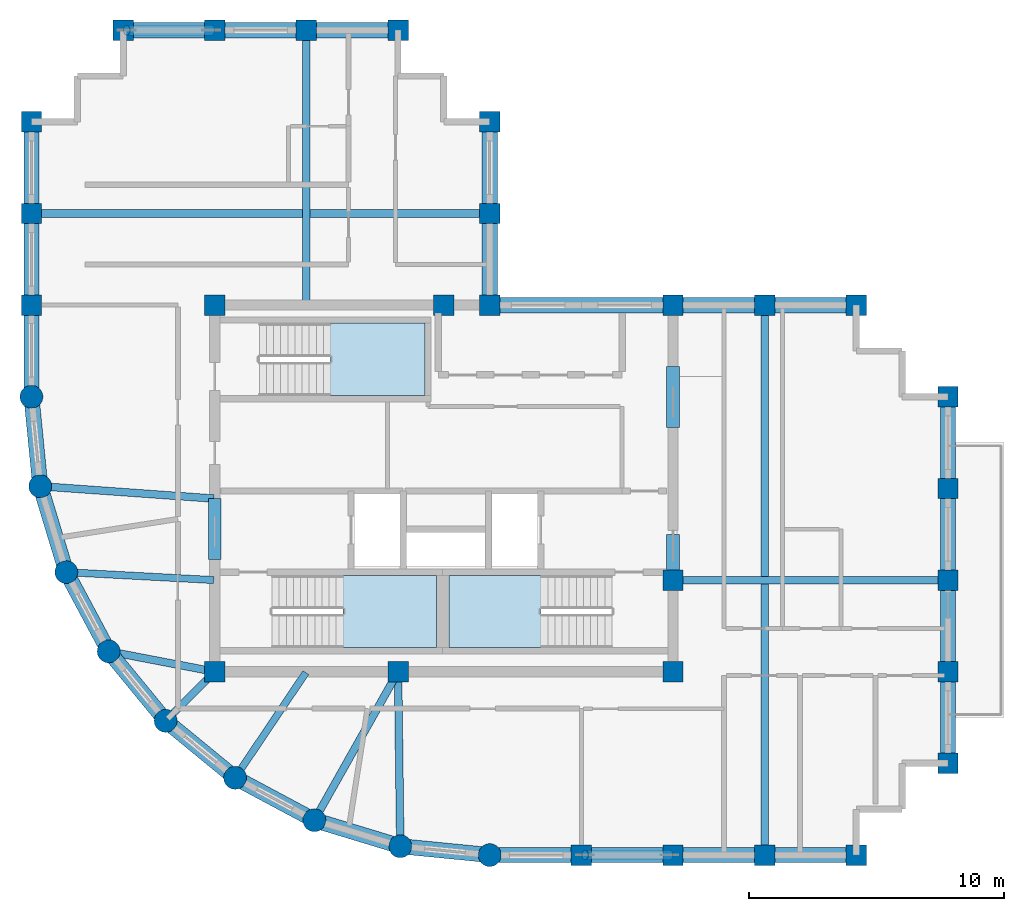
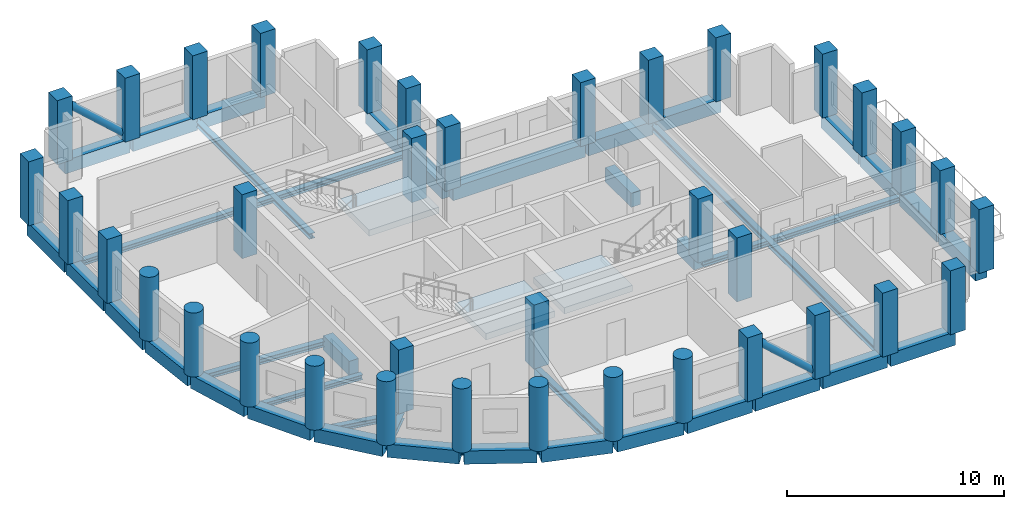
# One storey, part 1 of 6: 41 beams, 37 columns, 3 slabs, 2 members, 3 elements without a shape of their own.
"""IFC4 building model written with IfcOpenShell, lengths in metres."""

import ifcopenshell
import ifcopenshell.guid

model = None  # the IFC model being written
_history = None  # IfcOwnerHistory: only IFC2X3 demands one
_inside = {}  # id of a spatial element -> (the spatial element, [elements in it])
_under = {}  # id of a project, library or spatial element -> (it, [spatial elements below it])
_declared = {}  # id of a project -> (the project, [libraries it declares])
_typed = {}  # id of a type object -> (the type object, [elements of that type])
_made_of = {}  # id of a material, layer set ... -> (it, [elements and type objects made of it])


def new_model(schema):
    """Start an empty IFC model of exactly this schema.

    Asked for "IFC4X3", IfcOpenShell would pick the latest addendum, in which some entities
    have other attributes; the version numbers below select the first issue.
    IFC2X3 requires an IfcOwnerHistory on every rooted entity: one is made here for all.
    """
    global model, _history
    if schema == "IFC4X3":
        model = ifcopenshell.file(schema_version=(4, 3, 0, 0))
    else:
        model = ifcopenshell.file(schema=schema)
    _inside.clear()
    _under.clear()
    _declared.clear()
    _typed.clear()
    _made_of.clear()
    _history = None
    if model.schema == "IFC2X3":
        org = make("IfcOrganization", Name="unknown")
        user = make(
            "IfcPersonAndOrganization",
            ThePerson=make("IfcPerson", FamilyName="unknown"),
            TheOrganization=org,
        )
        app = make(
            "IfcApplication",
            ApplicationDeveloper=org,
            Version="unknown",
            ApplicationFullName="unknown",
            ApplicationIdentifier="unknown",
        )
        _history = make(
            "IfcOwnerHistory",
            OwningUser=user,
            OwningApplication=app,
            ChangeAction="ADDED",
            CreationDate=0,
        )
    return model


def make(cls, **values):
    """One entity of the class cls with the attributes given. An attribute that is None is left unset."""
    return model.create_entity(
        cls, **{name: value for name, value in values.items() if value is not None}
    )


def rooted(cls, **values):
    """An entity with a GlobalId (a new one), such as an element, a storey or a relation."""
    return make(cls, GlobalId=ifcopenshell.guid.new(), OwnerHistory=_history, **values)


def si_unit(unit_type, name, prefix=None):
    """IfcSIUnit, for example si_unit("LENGTHUNIT", "METRE", prefix="MILLI")."""
    return make("IfcSIUnit", UnitType=unit_type, Prefix=prefix, Name=name)


def assignment(units):
    """IfcUnitAssignment: the units of a project."""
    return None if units is None else make("IfcUnitAssignment", Units=units)


def point(xyz):
    """IfcCartesianPoint."""
    return None if xyz is None else make("IfcCartesianPoint", Coordinates=xyz)


def direction(xyz):
    """IfcDirection."""
    return None if xyz is None else make("IfcDirection", DirectionRatios=xyz)


def frame(location, z_axis=None, x_axis=None):
    """IfcAxis2Placement3D, a coordinate frame: its origin and axes. An axis left out is left unset."""
    return make(
        "IfcAxis2Placement3D",
        Location=point(location),
        Axis=direction(z_axis),
        RefDirection=direction(x_axis),
    )


def frame_2d(location, x_axis=None):
    """IfcAxis2Placement2D, a coordinate frame in the plane: its origin and x axis."""
    return make(
        "IfcAxis2Placement2D", Location=point(location), RefDirection=direction(x_axis)
    )


def origin():
    """The frame at (0, 0, 0) with its axes left unset."""
    return frame((0.0, 0.0, 0.0))


def origin_2d():
    """The frame at (0, 0) in the plane with its x axis left unset."""
    return frame_2d((0.0, 0.0))


def place(relative_to, where):
    """IfcLocalPlacement: puts the frame where relative to a parent placement (None: the world)."""
    return make(
        "IfcLocalPlacement", PlacementRelTo=relative_to, RelativePlacement=where
    )


def context(
    kind, dimensions, precision=None, world=None, true_north=None, identifier=None
):
    """IfcGeometricRepresentationContext, for example the 3D "Model" context."""
    return make(
        "IfcGeometricRepresentationContext",
        ContextIdentifier=identifier,
        ContextType=kind,
        CoordinateSpaceDimension=dimensions,
        Precision=precision,
        WorldCoordinateSystem=world,
        TrueNorth=true_north,
    )


def subcontext(parent, identifier, kind, view, scale=None):
    """IfcGeometricRepresentationSubContext, for example "Body" below "Model"."""
    return make(
        "IfcGeometricRepresentationSubContext",
        ContextIdentifier=identifier,
        ContextType=kind,
        ParentContext=parent,
        TargetScale=scale,
        TargetView=view,
    )


def project(units=None, contexts=None):
    """IfcProject with its units and contexts."""
    return rooted(
        "IfcProject",
        Name="project",
        RepresentationContexts=contexts,
        UnitsInContext=assignment(units),
    )


def spatial(cls, under=None, at=None, **own):
    """A site, building, storey or space (cls), placed at a placement, below another one or the project."""
    s = rooted(cls, ObjectPlacement=at, **own)
    if under is not None:
        _under.setdefault(under.id(), (under, []))[1].append(s)
    return s


def polyline(points):
    """IfcPolyline through the points."""
    return make("IfcPolyline", Points=[point(p) for p in points])


def profile(cls, at=None, kind="AREA", **sizes):
    """A parametric profile (cls). Its sizes go by their IFC names, for example OverallWidth=200.0."""
    return make(cls, ProfileType=kind, Position=at, **sizes)


def rectangle(**sizes):
    """IfcRectangleProfileDef."""
    return profile("IfcRectangleProfileDef", **sizes)


def circle(**sizes):
    """IfcCircleProfileDef."""
    return profile("IfcCircleProfileDef", **sizes)


def hollow_circle(**sizes):
    """IfcCircleHollowProfileDef."""
    return profile("IfcCircleHollowProfileDef", **sizes)


def i_section(**sizes):
    """IfcIShapeProfileDef."""
    return profile("IfcIShapeProfileDef", **sizes)


def outline(outer, holes=None, kind="AREA"):
    """IfcArbitraryClosedProfileDef: a profile drawn as a closed curve; with holes, ...WithVoids."""
    if holes is None:
        return make("IfcArbitraryClosedProfileDef", ProfileType=kind, OuterCurve=outer)
    return make(
        "IfcArbitraryProfileDefWithVoids",
        ProfileType=kind,
        OuterCurve=outer,
        InnerCurves=holes,
    )


def extrude(swept, where, along, depth):
    """IfcExtrudedAreaSolid: the profile swept, set in the frame where, extruded along a direction by depth."""
    return make(
        "IfcExtrudedAreaSolid",
        SweptArea=swept,
        Position=where,
        ExtrudedDirection=direction(along),
        Depth=depth,
    )


def shape(context_of_items, identifier, shape_type, items):
    """IfcShapeRepresentation: the items that make up one representation, for example the "Body"."""
    return make(
        "IfcShapeRepresentation",
        ContextOfItems=context_of_items,
        RepresentationIdentifier=identifier,
        RepresentationType=shape_type,
        Items=items,
    )


def material(Name=None, Category=None):
    """IfcMaterial."""
    return make("IfcMaterial", Name=Name, Category=Category)


def layer(
    of_material, thickness, ventilated=None, Name=None, Category=None, Priority=None
):
    """IfcMaterialLayer: one layer of a wall or slab, of a material (None: an air gap)."""
    return make(
        "IfcMaterialLayer",
        Material=of_material,
        LayerThickness=thickness,
        IsVentilated=ventilated,
        Name=Name,
        Category=Category,
        Priority=Priority,
    )


def layer_set(layers, Name=None):
    """IfcMaterialLayerSet."""
    return make("IfcMaterialLayerSet", MaterialLayers=layers, LayerSetName=Name)


def material_profile(
    of_material, cross_section, Name=None, Category=None, Priority=None
):
    """IfcMaterialProfile: a cross section and its material."""
    return make(
        "IfcMaterialProfile",
        Name=Name,
        Material=of_material,
        Profile=cross_section,
        Priority=Priority,
        Category=Category,
    )


def profile_set(profiles, Name=None, composite=None):
    """IfcMaterialProfileSet."""
    return make(
        "IfcMaterialProfileSet",
        Name=Name,
        MaterialProfiles=profiles,
        CompositeProfile=composite,
    )


def made_of(thing, what):
    """Note that an element or type object is made of a material, layer set ...; save() writes the relation."""
    if what is not None:
        _made_of.setdefault(what.id(), (what, []))[1].append(thing)
    return thing


def type_object(cls, material=None, **own):
    """A type object (cls), such as IfcWallType, which elements share."""
    return made_of(rooted(cls, **own), material)


def element(
    cls,
    number,
    at=None,
    inside=None,
    cuts=None,
    type_object=None,
    material=None,
    context=None,
    identifier="Body",
    shape_type=None,
    held_by="IfcProductDefinitionShape",
    body=None,
    shapes=None,
    **own,
):
    """One element of the class cls, such as IfcWall. Its Tag is "e" and its number.

    at: its placement. inside: the storey or other place that contains it. cuts: it is an
    opening in that element (IfcRelVoidsElement). A single representation is given by context,
    identifier, shape_type and body (its items); several are given by shapes. held_by: the class
    of the entity that holds the representations. save() writes the other relations.
    """
    e = rooted(cls, Tag="e%d" % number, ObjectPlacement=at, **own)
    if body is not None:
        shapes = [shape(context, identifier, shape_type, body)]
    if shapes is not None:
        e.Representation = make(held_by, Representations=shapes)
    if inside is not None:
        _inside.setdefault(inside.id(), (inside, []))[1].append(e)
    if cuts is not None:
        rooted(
            "IfcRelVoidsElement", RelatingBuildingElement=cuts, RelatedOpeningElement=e
        )
    if type_object is not None:
        _typed.setdefault(type_object.id(), (type_object, []))[1].append(e)
    return made_of(e, material)


def aggregate(whole, parts):
    """IfcRelAggregates: a whole, such as a stair, and the parts it consists of."""
    return rooted("IfcRelAggregates", RelatingObject=whole, RelatedObjects=parts)


def save(model, path):
    """Write the relations noted so far, then the file.

    IfcRelAggregates (storeys below a building ...), IfcRelContainedInSpatialStructure (elements
    in a storey), IfcRelDefinesByType, IfcRelAssociatesMaterial and IfcRelDeclares: one each for
    every whole, place, type object, material and project.
    """
    for whole, parts in _under.values():
        aggregate(whole, parts)
    for where, things in _inside.values():
        rooted(
            "IfcRelContainedInSpatialStructure",
            RelatedElements=things,
            RelatingStructure=where,
        )
    for kind, things in _typed.values():
        rooted("IfcRelDefinesByType", RelatedObjects=things, RelatingType=kind)
    for what, things in _made_of.values():
        rooted("IfcRelAssociatesMaterial", RelatedObjects=things, RelatingMaterial=what)
    for by, libraries in _declared.values():
        rooted("IfcRelDeclares", RelatingContext=by, RelatedDefinitions=libraries)
    model.write(path)


model = new_model("IFC4")

# Units and contexts
model_context = context("Model", 3, precision=1e-05, world=origin(), true_north=direction((0.0, 1.0)))
body_context = subcontext(model_context, "Body", "Model", "MODEL_VIEW")
ifc_project = project(units=[si_unit("LENGTHUNIT", "METRE"), si_unit("AREAUNIT", "SQUARE_METRE"), si_unit("VOLUMEUNIT", "CUBIC_METRE"), si_unit("PLANEANGLEUNIT", "RADIAN"), si_unit("MASSUNIT", "GRAM", prefix="KILO")], contexts=[model_context])

# Site, building, storey
site_placement = place(None, origin())
site = spatial("IfcSite", under=ifc_project, at=site_placement, CompositionType="ELEMENT")
building_placement = place(site_placement, origin())
building = spatial("IfcBuilding", under=site, at=building_placement, Name="Solnavia Interchange Tower", CompositionType="ELEMENT")
storey_placement = place(building_placement, frame((0.0, 0.0, 224.60009765625)))
storey = spatial("IfcBuildingStorey", under=building, at=storey_placement, Name="L56", CompositionType="ELEMENT", Elevation=224.60009765625)

# Columns
ifc_material_1 = material(Name="Concrete C50/60", Category="concrete")
ifc_material_profile_1 = material_profile(ifc_material_1, rectangle(XDim=0.800048828125, YDim=0.800048828125, at=origin_2d()), Name="RC 800x800")
ifc_profile_set_1 = profile_set([ifc_material_profile_1], Name="Concrete C50/60")
column_type_1 = type_object("IfcColumnType", Name="Col-RC-800x800", PredefinedType="COLUMN", material=ifc_profile_set_1)
for number, where, z_axis, x_axis, name in (
    (1, (7.199951171875, 25.199951171875, 0.0), (0.0, 0.0, 1.0), (0.0, 1.0, 0.0), "COL-L56-02 Tower perim y column"),
    (2, (7.199951171875, 28.800048828125, 0.0), (0.0, 0.0, 1.0), (0.0, 1.0, 0.0), "COL-L56-03 Tower perim y column"),
    (3, (7.199951171875, 32.39990234375, 0.0), (0.0, 0.0, 1.0), (0.0, 1.0, 0.0), "COL-L56-04 Tower corner column"),
    (4, (10.800048828125, 36.0, 0.0), (0.0, 0.0, 1.0), (1.0, 0.0, 0.0), "COL-L56-08 Tower corner column"),
    (5, (14.39990234375, 10.800048828125, 0.0), (0.0, 0.0, 1.0), (1.0, 0.0, 0.0), "COL-L56-10 Tower interior column"),
    (6, (14.39990234375, 25.199951171875, 0.0), (0.0, 0.0, 1.0), (1.0, 0.0, 0.0), "COL-L56-11 Tower interior column"),
    (7, (14.39990234375, 36.0, 0.0), (0.0, 0.0, 1.0), (1.0, 0.0, 0.0), "COL-L56-12 Tower perim x column"),
    (8, (18.0, 36.0, 0.0), (0.0, 0.0, 1.0), (1.0, 0.0, 0.0), "COL-L56-14 Tower perim x column"),
    (9, (21.60009765625, 10.800048828125, 0.0), (0.0, 0.0, 1.0), (1.0, 0.0, 0.0), "COL-L56-16 Tower interior column"),
    (10, (21.60009765625, 36.0, 0.0), (0.0, 0.0, 1.0), (1.0, 0.0, 0.0), "COL-L56-17 Tower corner column"),
    (11, (23.39990234375, 25.199951171875, 0.0), (0.0, 0.0, 1.0), (1.0, 0.0, 0.0), "COL-L56-19 Tower interior column"),
    (12, (25.199951171875, 25.199951171875, 0.0), (0.0, 0.0, 1.0), (1.0, 0.0, 0.0), "COL-L56-21 Tower interior column"),
    (13, (25.199951171875, 28.800048828125, 0.0), (0.0, 0.0, 1.0), (0.0, 1.0, 0.0), "COL-L56-22 Tower perim y column"),
    (14, (25.199951171875, 32.39990234375, 0.0), (0.0, 0.0, 1.0), (0.0, 1.0, 0.0), "COL-L56-23 Tower corner column"),
    (15, (28.800048828125, 3.60009765625, 0.0), (0.0, 0.0, 1.0), (1.0, 0.0, 0.0), "COL-L56-24 Tower perim x column"),
    (16, (32.39990234375, 3.60009765625, 0.0), (0.0, 0.0, 1.0), (1.0, 0.0, 0.0), "COL-L56-25 Tower perim x column"),
    (17, (32.39990234375, 10.800048828125, 0.0), (0.0, 0.0, 1.0), (1.0, 0.0, 0.0), "COL-L56-26 Tower interior column"),
    (18, (32.39990234375, 14.39990234375, 0.0), (0.0, 0.0, 1.0), (1.0, 0.0, 0.0), "COL-L56-27 Tower interior column"),
    (19, (32.39990234375, 25.199951171875, 0.0), (0.0, 0.0, 1.0), (1.0, 0.0, 0.0), "COL-L56-28 Tower interior column"),
    (20, (36.0, 3.60009765625, 0.0), (0.0, 0.0, 1.0), (1.0, 0.0, 0.0), "COL-L56-29 Tower perim x column"),
    (21, (36.0, 25.199951171875, 0.0), (0.0, 0.0, 1.0), (1.0, 0.0, 0.0), "COL-L56-30 Tower perim x column"),
    (22, (39.60009765625, 3.60009765625, 0.0), (0.0, 0.0, 1.0), (1.0, 0.0, 0.0), "COL-L56-31 Tower corner column"),
    (23, (39.60009765625, 25.199951171875, 0.0), (0.0, 0.0, 1.0), (1.0, 0.0, 0.0), "COL-L56-32 Tower corner column"),
    (24, (43.199951171875, 7.199951171875, 0.0), (0.0, 0.0, 1.0), (1.0, 0.0, 0.0), "COL-L56-33 Tower corner column"),
    (25, (43.199951171875, 10.800048828125, 0.0), (0.0, 0.0, 1.0), (0.0, 1.0, 0.0), "COL-L56-34 Tower perim y column"),
    (26, (43.199951171875, 14.39990234375, 0.0), (0.0, 0.0, 1.0), (0.0, 1.0, 0.0), "COL-L56-35 Tower perim y column"),
    (27, (43.199951171875, 18.0, 0.0), (0.0, 0.0, 1.0), (0.0, 1.0, 0.0), "COL-L56-36 Tower perim y column"),
    (28, (43.199951171875, 21.60009765625, 0.0), (0.0, 0.0, 1.0), (0.0, 1.0, 0.0), "COL-L56-37 Tower corner column"),
):
    element("IfcColumn", number, at=place(storey_placement, frame(where, z_axis=z_axis, x_axis=x_axis)), inside=storey, type_object=column_type_1, Name=name, PredefinedType="COLUMN", context=body_context, shape_type="SweptSolid", body=[
        extrude(rectangle(XDim=0.800048828125, YDim=0.800048828125, at=origin_2d()), origin(), (0.0, 0.0, 1.0), 3.599853515625),
    ])
ifc_material_profile_2 = material_profile(ifc_material_1, circle(Radius=0.449951171875, at=origin_2d()), Name="RC D900")
ifc_profile_set_2 = profile_set([ifc_material_profile_2], Name="Concrete C50/60")
column_type_2 = type_object("IfcColumnType", Name="Col-RC-D900", PredefinedType="COLUMN", material=ifc_profile_set_2)
for number, where, z_axis, x_axis, name in (
    (29, (7.199951171875, 21.60009765625, 0.0), (0.0, 0.0, 1.0), (1.0, 0.0, 0.0), "COL-L56-01 Tower drum column"),
    (30, (7.5458984375, 18.087890625, 0.0), (0.0, 0.0, 1.0), (1.0, 0.0, 0.0), "COL-L56-05 Tower drum column"),
    (31, (8.570068359375, 14.7119140625, 0.0), (0.0, 0.0, 1.0), (1.0, 0.0, 0.0), "COL-L56-06 Tower drum column"),
    (32, (10.23388671875, 11.60009765625, 0.0), (0.0, 0.0, 1.0), (1.0, 0.0, 0.0), "COL-L56-07 Tower drum column"),
    (33, (12.471923828125, 8.8720703125, 0.0), (0.0, 0.0, 1.0), (1.0, 0.0, 0.0), "COL-L56-09 Tower drum column"),
    (34, (15.199951171875, 6.634033203125, 0.0), (0.0, 0.0, 1.0), (1.0, 0.0, 0.0), "COL-L56-13 Tower drum column"),
    (35, (18.31201171875, 4.969970703125, 0.0), (0.0, 0.0, 1.0), (1.0, 0.0, 0.0), "COL-L56-15 Tower drum column"),
    (36, (21.68798828125, 3.946044921875, 0.0), (0.0, 0.0, 1.0), (1.0, 0.0, 0.0), "COL-L56-18 Tower drum column"),
    (37, (25.199951171875, 3.60009765625, 0.0), (0.0, 0.0, 1.0), (1.0, 0.0, 0.0), "COL-L56-20 Tower drum column"),
):
    element("IfcColumn", number, at=place(storey_placement, frame(where, z_axis=z_axis, x_axis=x_axis)), inside=storey, type_object=column_type_2, Name=name, PredefinedType="COLUMN", context=body_context, shape_type="SweptSolid", body=[
        extrude(circle(Radius=0.449951171875, at=origin_2d()), origin(), (0.0, 0.0, 1.0), 3.599853515625),
    ])

# Beams
ifc_material_profile_3 = material_profile(ifc_material_1, rectangle(XDim=0.5, YDim=0.800048828125, at=origin_2d()), Name="RC 500x800")
ifc_profile_set_3 = profile_set([ifc_material_profile_3], Name="Concrete C50/60")
beam_type_1 = type_object("IfcBeamType", Name="Beam-Coupling-RC500x800", PredefinedType="LINTEL", material=ifc_profile_set_3)
beam_1_placement = place(storey_placement, frame((14.39990234375, 15.199951171875, -0.400146484375), z_axis=(0.0, 1.0, 0.0), x_axis=(-1.0, 0.0, 0.0)))
element("IfcBeam", 38, at=beam_1_placement, inside=storey, type_object=beam_type_1, Name="CPB-L56-W1 Core coupling lintel beam", PredefinedType="LINTEL", context=body_context, shape_type="SweptSolid", body=[
    extrude(rectangle(XDim=0.5, YDim=0.800048828125, at=origin_2d()), origin(), (0.0, 0.0, 1.0), 2.400146484375),
])
beam_2_placement = place(storey_placement, frame((32.39990234375, 14.60009765625, -0.400146484375), z_axis=(0.0, 1.0, 0.0), x_axis=(-1.0, 0.0, 0.0)))
element("IfcBeam", 39, at=beam_2_placement, inside=storey, type_object=beam_type_1, Name="CPB-L56-E1 Core coupling lintel beam", PredefinedType="LINTEL", context=body_context, shape_type="SweptSolid", body=[
    extrude(rectangle(XDim=0.5, YDim=0.800048828125, at=origin_2d()), origin(), (0.0, 0.0, 1.0), 1.599853515625),
])
beam_3_placement = place(storey_placement, frame((32.39990234375, 20.39990234375, -0.400146484375), z_axis=(0.0, 1.0, 0.0), x_axis=(-1.0, 0.0, 0.0)))
element("IfcBeam", 40, at=beam_3_placement, inside=storey, type_object=beam_type_1, Name="CPB-L56-E2 Core coupling lintel beam", PredefinedType="LINTEL", context=body_context, shape_type="SweptSolid", body=[
    extrude(rectangle(XDim=0.5, YDim=0.800048828125, at=origin_2d()), origin(), (0.0, 0.0, 1.0), 2.400146484375),
])
ifc_material_2 = material(Name="Steel S460", Category="steel")
ifc_material_profile_4 = material_profile(ifc_material_2, i_section(OverallWidth=0.300048828125, OverallDepth=0.300048828125, WebThickness=0.010986328125, FlangeThickness=0.01904296875, FilletRadius=0.027099609375, at=origin_2d()), Name="HEB 300")
ifc_profile_set_4 = profile_set([ifc_material_profile_4], Name="Steel S460")
beam_type_2 = type_object("IfcBeamType", Name="Beam-Girder-HEB300", PredefinedType="BEAM", material=ifc_profile_set_4)
beam_4_placement = place(storey_placement, frame((32.47998046875, 14.39990234375, -0.400146484375), z_axis=(1.0, 0.0, 0.0), x_axis=(0.0, 1.0, 0.0)))
element("IfcBeam", 41, at=beam_4_placement, inside=storey, type_object=beam_type_2, Name="GRD-L56-ES01 East wing spine girder", PredefinedType="BEAM", context=body_context, shape_type="SweptSolid", body=[
    extrude(i_section(OverallWidth=0.300048828125, OverallDepth=0.300048828125, WebThickness=0.010986328125, FlangeThickness=0.01904296875, FilletRadius=0.027099609375, at=origin_2d()), origin(), (0.0, 0.0, 1.0), 10.64013671875),
])
beam_5_placement = place(storey_placement, frame((18.0, 25.280029296875, -0.400146484375), z_axis=(0.0, 1.0, 0.0), x_axis=(-1.0, 0.0, 0.0)))
element("IfcBeam", 42, at=beam_5_placement, inside=storey, type_object=beam_type_2, Name="GRD-L56-NS03 North wing spine girder", PredefinedType="BEAM", context=body_context, shape_type="SweptSolid", body=[
    extrude(i_section(OverallWidth=0.300048828125, OverallDepth=0.300048828125, WebThickness=0.010986328125, FlangeThickness=0.01904296875, FilletRadius=0.027099609375, at=origin_2d()), origin(), (0.0, 0.0, 1.0), 10.639892578125),
])
beam_6_placement = place(storey_placement, frame((7.280029296875, 28.800048828125, -0.400146484375), z_axis=(1.0, 0.0, 0.0), x_axis=(0.0, 1.0, 0.0)))
element("IfcBeam", 43, at=beam_6_placement, inside=storey, type_object=beam_type_2, Name="GRD-L56-NW04 North wing primary floor girder", PredefinedType="BEAM", context=body_context, shape_type="SweptSolid", body=[
    extrude(i_section(OverallWidth=0.300048828125, OverallDepth=0.300048828125, WebThickness=0.010986328125, FlangeThickness=0.01904296875, FilletRadius=0.027099609375, at=origin_2d()), origin(), (0.0, 0.0, 1.0), 17.840087890625),
])
beam_7_placement = place(storey_placement, frame((10.3125, 11.5849609375, -0.400146484375), z_axis=(0.982057527796, -0.188581579428, 0.0), x_axis=(0.188581579428, 0.982057527796, 0.0)))
element("IfcBeam", 44, at=beam_7_placement, inside=storey, type_object=beam_type_2, Name="GRD-L56-DR07 Drum radial floor girder", PredefinedType="BEAM", context=body_context, shape_type="SweptSolid", body=[
    extrude(i_section(OverallWidth=0.300048828125, OverallDepth=0.300048828125, WebThickness=0.010986328125, FlangeThickness=0.01904296875, FilletRadius=0.027099609375, at=origin_2d()), origin(), (0.0, 0.0, 1.0), 4.1220703125),
])
beam_8_placement = place(storey_placement, frame((18.351318359375, 5.039794921875, -0.400146484375), z_axis=(0.491243158486, 0.871022479182, 0.0), x_axis=(-0.871022479182, 0.491243158486, 0.0)))
element("IfcBeam", 45, at=beam_8_placement, inside=storey, type_object=beam_type_2, Name="GRD-L56-DR10 Drum radial floor girder", PredefinedType="BEAM", context=body_context, shape_type="SweptSolid", body=[
    extrude(i_section(OverallWidth=0.300048828125, OverallDepth=0.300048828125, WebThickness=0.010986328125, FlangeThickness=0.01904296875, FilletRadius=0.027099609375, at=origin_2d()), origin(), (0.0, 0.0, 1.0), 6.5732421875),
])
ifc_material_3 = material(Name="Steel S355", Category="steel")
ifc_material_profile_5 = material_profile(ifc_material_3, i_section(OverallWidth=0.280029296875, OverallDepth=0.27001953125, WebThickness=0.008056640625, FlangeThickness=0.012939453125, FilletRadius=0.02392578125, at=origin_2d()), Name="HEA 280")
ifc_profile_set_5 = profile_set([ifc_material_profile_5], Name="Steel S355")
beam_type_3 = type_object("IfcBeamType", Name="Beam-Primary-HEA280", PredefinedType="BEAM", material=ifc_profile_set_5)
beam_9_placement = place(storey_placement, frame((8.64990234375, 14.707763671875, -0.385009765625), z_axis=(0.998570371303, -0.053452909696, 0.0), x_axis=(0.053452909696, 0.998570371303, 0.0)))
element("IfcBeam", 46, at=beam_9_placement, inside=storey, type_object=beam_type_3, Name="GRD-L56-DR06 Drum radial floor girder", PredefinedType="BEAM", context=body_context, shape_type="SweptSolid", body=[
    extrude(i_section(OverallWidth=0.280029296875, OverallDepth=0.27001953125, WebThickness=0.008056640625, FlangeThickness=0.012939453125, FilletRadius=0.02392578125, at=origin_2d()), origin(), (0.0, 0.0, 1.0), 5.71826171875),
])
beam_10_placement = place(storey_placement, frame((15.24462890625, 6.700439453125, -0.385009765625), z_axis=(0.557835474219, 0.829951555033, 0.0), x_axis=(-0.829951555033, 0.557835474219, 0.0)))
element("IfcBeam", 47, at=beam_10_placement, inside=storey, type_object=beam_type_3, Name="GRD-L56-DR09 Drum radial floor girder", PredefinedType="BEAM", context=body_context, shape_type="SweptSolid", body=[
    extrude(i_section(OverallWidth=0.280029296875, OverallDepth=0.27001953125, WebThickness=0.008056640625, FlangeThickness=0.012939453125, FilletRadius=0.02392578125, at=origin_2d()), origin(), (0.0, 0.0, 1.0), 4.899658203125),
])
ifc_material_profile_6 = material_profile(ifc_material_3, i_section(OverallWidth=0.300048828125, OverallDepth=0.31005859375, WebThickness=0.009033203125, FlangeThickness=0.015380859375, FilletRadius=0.027099609375, at=origin_2d()), Name="HEA 320")
ifc_profile_set_6 = profile_set([ifc_material_profile_6], Name="Steel S355")
beam_type_4 = type_object("IfcBeamType", Name="Beam-Primary-HEA320", PredefinedType="BEAM", material=ifc_profile_set_6)
beam_11_placement = place(storey_placement, frame((36.0, 3.679931640625, -0.405029296875), z_axis=(0.0, 1.0, 0.0), x_axis=(-1.0, 0.0, 0.0)))
element("IfcBeam", 48, at=beam_11_placement, inside=storey, type_object=beam_type_4, Name="GRD-L56-EW02 East wing primary floor girder", PredefinedType="BEAM", context=body_context, shape_type="SweptSolid", body=[
    extrude(i_section(OverallWidth=0.300048828125, OverallDepth=0.31005859375, WebThickness=0.009033203125, FlangeThickness=0.015380859375, FilletRadius=0.027099609375, at=origin_2d()), origin(), (0.0, 0.0, 1.0), 21.440185546875),
])
beam_12_placement = place(storey_placement, frame((7.625732421875, 18.082275390625, -0.405029296875), z_axis=(0.99747482749, -0.071020902015, 0.0), x_axis=(0.071020902015, 0.99747482749, 0.0)))
element("IfcBeam", 49, at=beam_12_placement, inside=storey, type_object=beam_type_4, Name="GRD-L56-DR05 Drum radial floor girder", PredefinedType="BEAM", context=body_context, shape_type="SweptSolid", body=[
    extrude(i_section(OverallWidth=0.300048828125, OverallDepth=0.31005859375, WebThickness=0.009033203125, FlangeThickness=0.015380859375, FilletRadius=0.027099609375, at=origin_2d()), origin(), (0.0, 0.0, 1.0), 6.75146484375),
])
beam_13_placement = place(storey_placement, frame((12.528564453125, 8.9287109375, -0.405029296875), z_axis=(0.707106781187, 0.707106781187, 0.0), x_axis=(-0.707106781187, 0.707106781187, 0.0)))
element("IfcBeam", 50, at=beam_13_placement, inside=storey, type_object=beam_type_4, Name="GRD-L56-DR08 Drum radial floor girder", PredefinedType="BEAM", context=body_context, shape_type="SweptSolid", body=[
    extrude(i_section(OverallWidth=0.300048828125, OverallDepth=0.31005859375, WebThickness=0.009033203125, FlangeThickness=0.015380859375, FilletRadius=0.027099609375, at=origin_2d()), origin(), (0.0, 0.0, 1.0), 2.6064453125),
])
beam_14_placement = place(storey_placement, frame((21.68701171875, 4.02587890625, -0.405029296875), z_axis=(-0.01283293513, 0.999917654498, 0.0), x_axis=(-0.999917654498, -0.01283293513, 0.0)))
element("IfcBeam", 51, at=beam_14_placement, inside=storey, type_object=beam_type_4, Name="GRD-L56-DR11 Drum radial floor girder", PredefinedType="BEAM", context=body_context, shape_type="SweptSolid", body=[
    extrude(i_section(OverallWidth=0.300048828125, OverallDepth=0.31005859375, WebThickness=0.009033203125, FlangeThickness=0.015380859375, FilletRadius=0.027099609375, at=origin_2d()), origin(), (0.0, 0.0, 1.0), 6.734619140625),
])
ifc_material_profile_7 = material_profile(ifc_material_1, rectangle(XDim=0.60009765625, YDim=0.75, at=origin_2d()), Name="RC 600x750")
ifc_profile_set_7 = profile_set([ifc_material_profile_7], Name="Concrete C50/60")
beam_type_5 = type_object("IfcBeamType", Name="Beam-Spandrel-RC600x750", PredefinedType="SPANDREL", material=ifc_profile_set_7)
beam_15_placement = place(storey_placement, frame((7.207763671875, 21.5205078125, -0.375), z_axis=(0.098040038117, -0.995182471171, 0.0), x_axis=(0.995182471171, 0.098040038117, 0.0)))
element("IfcBeam", 52, at=beam_15_placement, inside=storey, type_object=beam_type_5, Name="SPB-L56-01 Framed-tube perimeter spandrel beam", PredefinedType="SPANDREL", context=body_context, shape_type="SweptSolid", body=[
    extrude(rectangle(XDim=0.60009765625, YDim=0.75, at=origin_2d()), origin(), (0.0, 0.0, 1.0), 3.369140625),
])
beam_16_placement = place(storey_placement, frame((7.569091796875, 18.011474609375, -0.375), z_axis=(0.290319223646, -0.956929855518, 0.0), x_axis=(0.956929855518, 0.290319223646, 0.0)))
element("IfcBeam", 53, at=beam_16_placement, inside=storey, type_object=beam_type_5, Name="SPB-L56-02 Framed-tube perimeter spandrel beam", PredefinedType="SPANDREL", context=body_context, shape_type="SweptSolid", body=[
    extrude(rectangle(XDim=0.60009765625, YDim=0.75, at=origin_2d()), origin(), (0.0, 0.0, 1.0), 3.367919921875),
])
beam_17_placement = place(storey_placement, frame((8.607666015625, 14.6416015625, -0.375), z_axis=(0.471509422952, -0.881861023102, 0.0), x_axis=(0.881861023102, 0.471509422952, 0.0)))
element("IfcBeam", 54, at=beam_17_placement, inside=storey, type_object=beam_type_5, Name="SPB-L56-03 Framed-tube perimeter spandrel beam", PredefinedType="SPANDREL", context=body_context, shape_type="SweptSolid", body=[
    extrude(rectangle(XDim=0.60009765625, YDim=0.75, at=origin_2d()), origin(), (0.0, 0.0, 1.0), 3.369140625),
])
for number, where, z_axis, x_axis, name in (
    (55, (10.28466796875, 11.5380859375, -0.375), (0.634298841675, -0.773087950656, 0.0), (0.773087950656, 0.634298841675, 0.0), "SPB-L56-04 Framed-tube perimeter spandrel beam"),
    (56, (12.53369140625, 8.8212890625, -0.375), (0.773152644452, -0.634219984214, 0.0), (0.634219984214, 0.773152644452, 0.0), "SPB-L56-05 Framed-tube perimeter spandrel beam"),
):
    element("IfcBeam", number, at=place(storey_placement, frame(where, z_axis=z_axis, x_axis=x_axis)), inside=storey, type_object=beam_type_5, Name=name, PredefinedType="SPANDREL", context=body_context, shape_type="SweptSolid", body=[
        extrude(rectangle(XDim=0.60009765625, YDim=0.75, at=origin_2d()), origin(), (0.0, 0.0, 1.0), 3.36865234375),
    ])
beam_18_placement = place(storey_placement, frame((15.2705078125, 6.59619140625, -0.375), z_axis=(0.881875044348, -0.47148319817, 0.0), x_axis=(0.47148319817, 0.881875044348, 0.0)))
element("IfcBeam", 57, at=beam_18_placement, inside=storey, type_object=beam_type_5, Name="SPB-L56-06 Framed-tube perimeter spandrel beam", PredefinedType="SPANDREL", context=body_context, shape_type="SweptSolid", body=[
    extrude(rectangle(XDim=0.60009765625, YDim=0.75, at=origin_2d()), origin(), (0.0, 0.0, 1.0), 3.368896484375),
])
beam_19_placement = place(storey_placement, frame((18.388671875, 4.94677734375, -0.375), z_axis=(0.956943884494, -0.290272978297, 0.0), x_axis=(0.290272978297, 0.956943884494, 0.0)))
element("IfcBeam", 58, at=beam_19_placement, inside=storey, type_object=beam_type_5, Name="SPB-L56-07 Framed-tube perimeter spandrel beam", PredefinedType="SPANDREL", context=body_context, shape_type="SweptSolid", body=[
    extrude(rectangle(XDim=0.60009765625, YDim=0.75, at=origin_2d()), origin(), (0.0, 0.0, 1.0), 3.36767578125),
])
beam_20_placement = place(storey_placement, frame((21.767578125, 3.938232421875, -0.375), z_axis=(0.995181774609, -0.098047108501, 0.0), x_axis=(0.098047108501, 0.995181774609, 0.0)))
element("IfcBeam", 59, at=beam_20_placement, inside=storey, type_object=beam_type_5, Name="SPB-L56-08 Framed-tube perimeter spandrel beam", PredefinedType="SPANDREL", context=body_context, shape_type="SweptSolid", body=[
    extrude(rectangle(XDim=0.60009765625, YDim=0.75, at=origin_2d()), origin(), (0.0, 0.0, 1.0), 3.368896484375),
])
beam_21_placement = place(storey_placement, frame((25.280029296875, 3.60009765625, -0.375), z_axis=(1.0, 0.0, 0.0), x_axis=(0.0, 1.0, 0.0)))
element("IfcBeam", 60, at=beam_21_placement, inside=storey, type_object=beam_type_5, Name="SPB-L56-09 Framed-tube perimeter spandrel beam", PredefinedType="SPANDREL", context=body_context, shape_type="SweptSolid", body=[
    extrude(rectangle(XDim=0.60009765625, YDim=0.75, at=origin_2d()), origin(), (0.0, 0.0, 1.0), 3.43994140625),
])
beam_22_placement = place(storey_placement, frame((28.8798828125, 3.60009765625, -0.375), z_axis=(1.0, 0.0, 0.0), x_axis=(0.0, 1.0, 0.0)))
element("IfcBeam", 61, at=beam_22_placement, inside=storey, type_object=beam_type_5, Name="SPB-L56-10 Framed-tube perimeter spandrel beam", PredefinedType="SPANDREL", context=body_context, shape_type="SweptSolid", body=[
    extrude(rectangle(XDim=0.60009765625, YDim=0.75, at=origin_2d()), origin(), (0.0, 0.0, 1.0), 3.440185546875),
])
for number, where, z_axis, x_axis, name in (
    (62, (32.47998046875, 3.60009765625, -0.375), (1.0, 0.0, 0.0), (0.0, 1.0, 0.0), "SPB-L56-11 Framed-tube perimeter spandrel beam"),
    (63, (36.080078125, 3.60009765625, -0.375), (1.0, 0.0, 0.0), (0.0, 1.0, 0.0), "SPB-L56-12 Framed-tube perimeter spandrel beam"),
    (64, (43.199951171875, 7.280029296875, -0.375), (0.0, 1.0, 0.0), (-1.0, 0.0, 0.0), "SPB-L56-13 Framed-tube perimeter spandrel beam"),
):
    element("IfcBeam", number, at=place(storey_placement, frame(where, z_axis=z_axis, x_axis=x_axis)), inside=storey, type_object=beam_type_5, Name=name, PredefinedType="SPANDREL", context=body_context, shape_type="SweptSolid", body=[
        extrude(rectangle(XDim=0.60009765625, YDim=0.75, at=origin_2d()), origin(), (0.0, 0.0, 1.0), 3.43994140625),
    ])
beam_23_placement = place(storey_placement, frame((43.199951171875, 10.8798828125, -0.375), z_axis=(0.0, 1.0, 0.0), x_axis=(-1.0, 0.0, 0.0)))
element("IfcBeam", 65, at=beam_23_placement, inside=storey, type_object=beam_type_5, Name="SPB-L56-14 Framed-tube perimeter spandrel beam", PredefinedType="SPANDREL", context=body_context, shape_type="SweptSolid", body=[
    extrude(rectangle(XDim=0.60009765625, YDim=0.75, at=origin_2d()), origin(), (0.0, 0.0, 1.0), 3.440185546875),
])
for number, where, z_axis, x_axis, name in (
    (66, (43.199951171875, 14.47998046875, -0.375), (0.0, 1.0, 0.0), (-1.0, 0.0, 0.0), "SPB-L56-15 Framed-tube perimeter spandrel beam"),
    (67, (43.199951171875, 18.080078125, -0.375), (0.0, 1.0, 0.0), (-1.0, 0.0, 0.0), "SPB-L56-16 Framed-tube perimeter spandrel beam"),
    (68, (39.52001953125, 25.199951171875, -0.375), (-1.0, 0.0, 0.0), (0.0, -1.0, 0.0), "SPB-L56-17 Framed-tube perimeter spandrel beam"),
    (69, (35.919921875, 25.199951171875, -0.375), (-1.0, 0.0, 0.0), (0.0, -1.0, 0.0), "SPB-L56-18 Framed-tube perimeter spandrel beam"),
):
    element("IfcBeam", number, at=place(storey_placement, frame(where, z_axis=z_axis, x_axis=x_axis)), inside=storey, type_object=beam_type_5, Name=name, PredefinedType="SPANDREL", context=body_context, shape_type="SweptSolid", body=[
        extrude(rectangle(XDim=0.60009765625, YDim=0.75, at=origin_2d()), origin(), (0.0, 0.0, 1.0), 3.43994140625),
    ])
beam_24_placement = place(storey_placement, frame((32.320068359375, 25.199951171875, -0.375), z_axis=(-1.0, 0.0, 0.0), x_axis=(0.0, -1.0, 0.0)))
element("IfcBeam", 70, at=beam_24_placement, inside=storey, type_object=beam_type_5, Name="SPB-L56-19 Framed-tube perimeter spandrel beam", PredefinedType="SPANDREL", context=body_context, shape_type="SweptSolid", body=[
    extrude(rectangle(XDim=0.60009765625, YDim=0.75, at=origin_2d()), origin(), (0.0, 0.0, 1.0), 7.0400390625),
])
beam_25_placement = place(storey_placement, frame((25.199951171875, 25.280029296875, -0.375), z_axis=(0.0, 1.0, 0.0), x_axis=(-1.0, 0.0, 0.0)))
element("IfcBeam", 71, at=beam_25_placement, inside=storey, type_object=beam_type_5, Name="SPB-L56-20 Framed-tube perimeter spandrel beam", PredefinedType="SPANDREL", context=body_context, shape_type="SweptSolid", body=[
    extrude(rectangle(XDim=0.60009765625, YDim=0.75, at=origin_2d()), origin(), (0.0, 0.0, 1.0), 3.43994140625),
])
beam_26_placement = place(storey_placement, frame((25.199951171875, 28.8798828125, -0.375), z_axis=(0.0, 1.0, 0.0), x_axis=(-1.0, 0.0, 0.0)))
element("IfcBeam", 72, at=beam_26_placement, inside=storey, type_object=beam_type_5, Name="SPB-L56-21 Framed-tube perimeter spandrel beam", PredefinedType="SPANDREL", context=body_context, shape_type="SweptSolid", body=[
    extrude(rectangle(XDim=0.60009765625, YDim=0.75, at=origin_2d()), origin(), (0.0, 0.0, 1.0), 3.440185546875),
])
for number, where, z_axis, x_axis, name in (
    (73, (21.52001953125, 36.0, -0.375), (-1.0, 0.0, 0.0), (0.0, -1.0, 0.0), "SPB-L56-22 Framed-tube perimeter spandrel beam"),
    (74, (17.919921875, 36.0, -0.375), (-1.0, 0.0, 0.0), (0.0, -1.0, 0.0), "SPB-L56-23 Framed-tube perimeter spandrel beam"),
):
    element("IfcBeam", number, at=place(storey_placement, frame(where, z_axis=z_axis, x_axis=x_axis)), inside=storey, type_object=beam_type_5, Name=name, PredefinedType="SPANDREL", context=body_context, shape_type="SweptSolid", body=[
        extrude(rectangle(XDim=0.60009765625, YDim=0.75, at=origin_2d()), origin(), (0.0, 0.0, 1.0), 3.43994140625),
    ])
for number, where, z_axis, x_axis, name in (
    (75, (14.320068359375, 36.0, -0.375), (-1.0, 0.0, 0.0), (0.0, -1.0, 0.0), "SPB-L56-24 Framed-tube perimeter spandrel beam"),
    (76, (7.199951171875, 32.320068359375, -0.375), (0.0, -1.0, 0.0), (1.0, 0.0, 0.0), "SPB-L56-25 Framed-tube perimeter spandrel beam"),
):
    element("IfcBeam", number, at=place(storey_placement, frame(where, z_axis=z_axis, x_axis=x_axis)), inside=storey, type_object=beam_type_5, Name=name, PredefinedType="SPANDREL", context=body_context, shape_type="SweptSolid", body=[
        extrude(rectangle(XDim=0.60009765625, YDim=0.75, at=origin_2d()), origin(), (0.0, 0.0, 1.0), 3.440185546875),
    ])
beam_27_placement = place(storey_placement, frame((7.199951171875, 28.719970703125, -0.375), z_axis=(0.0, -1.0, 0.0), x_axis=(1.0, 0.0, 0.0)))
element("IfcBeam", 77, at=beam_27_placement, inside=storey, type_object=beam_type_5, Name="SPB-L56-26 Framed-tube perimeter spandrel beam", PredefinedType="SPANDREL", context=body_context, shape_type="SweptSolid", body=[
    extrude(rectangle(XDim=0.60009765625, YDim=0.75, at=origin_2d()), origin(), (0.0, 0.0, 1.0), 3.43994140625),
])
beam_28_placement = place(storey_placement, frame((7.199951171875, 25.1201171875, -0.375), z_axis=(0.0, -1.0, 0.0), x_axis=(1.0, 0.0, 0.0)))
element("IfcBeam", 78, at=beam_28_placement, inside=storey, type_object=beam_type_5, Name="SPB-L56-27 Framed-tube perimeter spandrel beam", PredefinedType="SPANDREL", context=body_context, shape_type="SweptSolid", body=[
    extrude(rectangle(XDim=0.60009765625, YDim=0.75, at=origin_2d()), origin(), (0.0, 0.0, 1.0), 3.440185546875),
])

# Members
ifc_material_profile_8 = material_profile(ifc_material_2, hollow_circle(Radius=0.203125, WallThickness=0.02001953125, at=origin_2d()), Name="CHS 406.4x20")
ifc_profile_set_8 = profile_set([ifc_material_profile_8], Name="Steel S460")
member_type = type_object("IfcMemberType", Name="Brace-Perim-CHS406", PredefinedType="BRACE", material=ifc_profile_set_8)
for number, where, z_axis, x_axis, name in (
    (79, (32.260009765625, 3.60009765625, 0.179931640625), (-0.74307946371, 0.0, 0.669203190827), (0.0, -1.0, 0.0), "BRC-L56-01 Perimeter tube diagonal brace"),
    (80, (14.260009765625, 36.0, 0.179931640625), (-0.74307946371, 0.0, 0.669203190827), (0.0, -1.0, 0.0), "BRC-L56-02 Perimeter tube diagonal brace"),
):
    element("IfcMember", number, at=place(storey_placement, frame(where, z_axis=z_axis, x_axis=x_axis)), inside=storey, type_object=member_type, Name=name, PredefinedType="BRACE", context=body_context, shape_type="SweptSolid", body=[
        extrude(hollow_circle(Radius=0.203125, WallThickness=0.02001953125, at=origin_2d()), origin(), (0.0, 0.0, 1.0), 4.468017578125),
    ])

# Stair, slab
ifc_material_4 = material(Name="Concrete C40/50", Category="concrete")
stair_type = type_object("IfcStairType", Name="Stair-Dogleg-RC", PredefinedType="HALF_TURN_STAIR", material=ifc_material_4)
stair_1_placement = place(storey_placement, origin())
stair_1 = element("IfcStair", 81, at=stair_1_placement, inside=storey, type_object=stair_type, Name="L56 Core exit stair 1", PredefinedType="HALF_TURN_STAIR")
ifc_layer = layer(ifc_material_4, 0.35009765625)
ifc_layer_set = layer_set([ifc_layer], Name="Concrete C40/50")
slab_type = type_object("IfcSlabType", Name="Slab-StairLanding-350", PredefinedType="LANDING", material=ifc_layer_set)
slab_1_placement = place(storey_placement, frame((0.0, 0.0, 1.449951171875)))
slab_1 = element("IfcSlab", 82, at=slab_1_placement, type_object=slab_type, Name="ST-1 landing 1", PredefinedType="LANDING", context=body_context, shape_type="SweptSolid", body=[
    extrude(outline(polyline([(19.427978515625, 11.75), (23.10009765625, 11.75), (23.10009765625, 14.590087890625), (19.427978515625, 14.590087890625), (19.427978515625, 11.75)])), origin(), (0.0, 0.0, 1.0), 0.349853515625),
])
aggregate(stair_1, [slab_1])

stair_2_placement = place(storey_placement, origin())
stair_2 = element("IfcStair", 83, at=stair_2_placement, inside=storey, type_object=stair_type, Name="L56 Core exit stair 2", PredefinedType="HALF_TURN_STAIR")
slab_2_placement = place(storey_placement, frame((0.0, 0.0, 1.449951171875)))
slab_2 = element("IfcSlab", 84, at=slab_2_placement, type_object=slab_type, Name="ST-2 landing 1", PredefinedType="LANDING", context=body_context, shape_type="SweptSolid", body=[
    extrude(outline(polyline([(23.60009765625, 11.75), (27.221923828125, 11.75), (27.221923828125, 14.590087890625), (23.60009765625, 14.590087890625), (23.60009765625, 11.75)])), origin(), (0.0, 0.0, 1.0), 0.349853515625),
])
aggregate(stair_2, [slab_2])

stair_3_placement = place(storey_placement, origin())
stair_3 = element("IfcStair", 85, at=stair_3_placement, inside=storey, type_object=stair_type, Name="L56 Core exit stair 3", PredefinedType="HALF_TURN_STAIR")
slab_3_placement = place(storey_placement, frame((0.0, 0.0, 1.449951171875)))
slab_3 = element("IfcSlab", 86, at=slab_3_placement, type_object=slab_type, Name="ST-3 landing 1", PredefinedType="LANDING", context=body_context, shape_type="SweptSolid", body=[
    extrude(outline(polyline([(18.927978515625, 21.64990234375), (22.64990234375, 21.64990234375), (22.64990234375, 24.489990234375), (18.927978515625, 24.489990234375), (18.927978515625, 21.64990234375)])), origin(), (0.0, 0.0, 1.0), 0.349853515625),
])
aggregate(stair_3, [slab_3])

save(model, "model.ifc")
